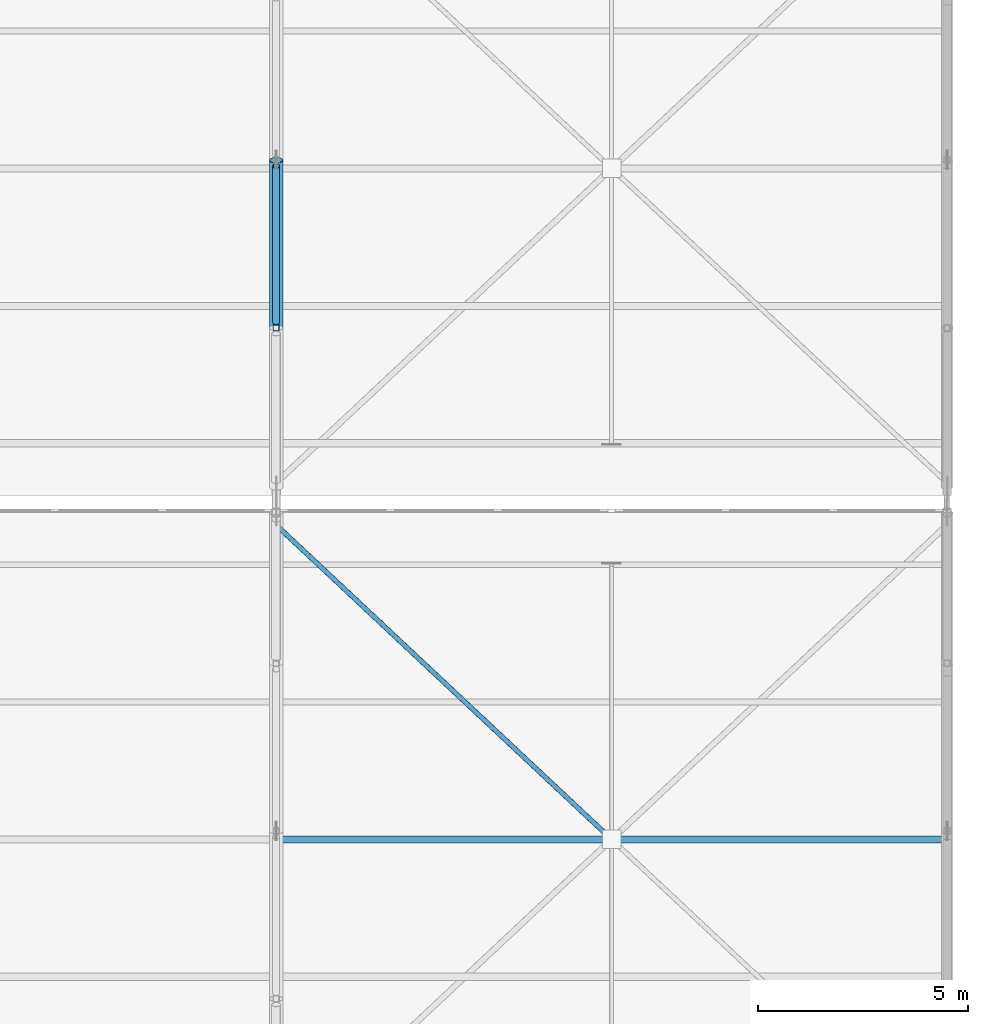
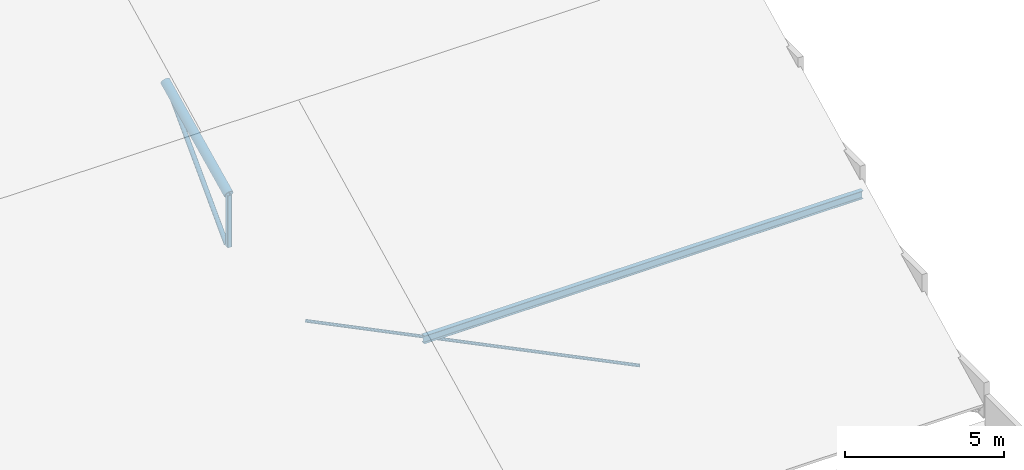
# One storey, part 84 of 137: 4 members, 1 beam.
"""IFC4 building model written with IfcOpenShell, lengths in metres."""

from ifc_helpers import new_model, si_unit, direction, frame, origin, origin_2d, place, context, subcontext, project, spatial, hollow_rectangle, hollow_circle, i_section, extrude, material, material_profile, profile_set, type_object, element, save


model = new_model("IFC4")

# Units and contexts
model_context = context("Model", 3, precision=1e-05, world=origin(), true_north=direction((0.0, 1.0)))
body_context = subcontext(model_context, "Body", "Model", "MODEL_VIEW")
ifc_project = project(units=[si_unit("LENGTHUNIT", "METRE"), si_unit("AREAUNIT", "SQUARE_METRE"), si_unit("VOLUMEUNIT", "CUBIC_METRE"), si_unit("PLANEANGLEUNIT", "RADIAN"), si_unit("MASSUNIT", "GRAM", prefix="KILO")], contexts=[model_context])

# Site, building, storey
site_placement = place(None, origin())
site = spatial("IfcSite", under=ifc_project, at=site_placement, CompositionType="ELEMENT")
building_placement = place(site_placement, origin())
building = spatial("IfcBuilding", under=site, at=building_placement, Name="Jelvoka-Kovrelna Polytechnic", CompositionType="ELEMENT")
storey_placement = place(building_placement, frame((0.0, 0.0, 9.60009765625)))
storey = spatial("IfcBuildingStorey", under=building, at=storey_placement, Name="L03", CompositionType="ELEMENT", Elevation=9.60009765625)

# Members
ifc_material_1 = material(Name="Structural steel S355J2H", Category="steel")
ifc_material_profile_1 = material_profile(ifc_material_1, hollow_circle(Radius=0.05712890625, WallThickness=0.00634765625, at=origin_2d()), Name="114.3x6.3 CHS")
ifc_profile_set_1 = profile_set([ifc_material_profile_1], Name="Structural steel S355J2H")
member_type_1 = type_object("IfcMemberType", Name="Member_Brace_CHS114", PredefinedType="BRACE", material=ifc_profile_set_1)
member_1_placement = place(storey_placement, frame((184.050048828125, 103.25, 0.14990234375), z_axis=(0.729679522085, -0.683789291412, 0.0), x_axis=(0.683789291412, 0.729679522085, 0.0)))
element("IfcMember", 1, at=member_1_placement, inside=storey, type_object=member_type_1, Name="Sawtooth roof split X-brace half-diagonal 0227", PredefinedType="BRACE", context=body_context, shape_type="SweptSolid", body=[
    extrude(hollow_circle(Radius=0.05712890625, WallThickness=0.00634765625, at=origin_2d()), origin(), (0.0, 0.0, 1.0), 10.80517578125),
])
ifc_material_2 = material(Name="Structural steel S355J2H", Category="steel")
ifc_material_profile_2 = material_profile(ifc_material_2, hollow_circle(Radius=0.084228515625, WallThickness=0.008056640625, at=origin_2d()), Name="168.3x8.0 CHS")
ifc_profile_set_2 = profile_set([ifc_material_profile_2], Name="Structural steel S355J2H")
member_type_2 = type_object("IfcMemberType", Name="Member_Brace_CHS168", PredefinedType="BRACE", material=ifc_profile_set_2)
member_2_placement = place(storey_placement, frame((184.0, 108.139892578125, 0.14990234375), z_axis=(0.0, 0.69521468222, 0.718802160282), x_axis=(-1.0, 0.0, 0.0)))
element("IfcMember", 2, at=member_2_placement, inside=storey, type_object=member_type_2, Name="Sawtooth truss 7 diagonal web 2.2", PredefinedType="BRACE", context=body_context, shape_type="SweptSolid", body=[
    extrude(hollow_circle(Radius=0.084228515625, WallThickness=0.008056640625, at=origin_2d()), origin(), (0.0, 0.0, 1.0), 5.35107421875),
])
ifc_material_3 = material(Name="Structural steel S355J2H", Category="steel")
ifc_material_profile_3 = material_profile(ifc_material_3, hollow_circle(Radius=0.161865234375, WallThickness=0.010009765625, at=origin_2d()), Name="323.9x10.0 CHS")
ifc_profile_set_3 = profile_set([ifc_material_profile_3], Name="Structural steel S355J2H")
member_type_3 = type_object("IfcMemberType", Name="Member_Chord_CHS324", PredefinedType="CHORD", material=ifc_profile_set_3)
member_3_placement = place(storey_placement, frame((184.0, 108.0, 2.148193359375), z_axis=(0.0, 0.900799405566, 0.434235455637), x_axis=(-1.0, 0.0, 0.0)))
element("IfcMember", 3, at=member_3_placement, inside=storey, type_object=member_type_3, Name="Sawtooth truss 7 top chord 2.2", PredefinedType="CHORD", context=body_context, shape_type="SweptSolid", body=[
    extrude(hollow_circle(Radius=0.161865234375, WallThickness=0.010009765625, at=origin_2d()), origin(), (0.0, 0.0, 1.0), 4.4404296875),
])
ifc_material_4 = material(Name="Structural steel S355J2H", Category="steel")
ifc_material_profile_4 = material_profile(ifc_material_4, hollow_rectangle(XDim=0.14990234375, YDim=0.14990234375, WallThickness=0.008056640625, InnerFilletRadius=0.008056640625, OuterFilletRadius=0.011962890625, at=origin_2d()), Name="150x150x8.0 SHS")
ifc_profile_set_4 = profile_set([ifc_material_profile_4], Name="Structural steel S355J2H")
member_type_4 = type_object("IfcMemberType", Name="Member_Post_SHS150", PredefinedType="POST", material=ifc_profile_set_4)
member_4_placement = place(storey_placement, frame((184.0, 108.0, 0.14990234375), z_axis=(0.0, 0.0, 1.0), x_axis=(1.0, 0.0, 0.0)))
element("IfcMember", 4, at=member_4_placement, inside=storey, type_object=member_type_4, Name="Sawtooth truss 7 web post 2.2", PredefinedType="POST", context=body_context, shape_type="SweptSolid", body=[
    extrude(hollow_rectangle(XDim=0.14990234375, YDim=0.14990234375, WallThickness=0.008056640625, InnerFilletRadius=0.008056640625, OuterFilletRadius=0.011962890625, at=origin_2d()), origin(), (0.0, 0.0, 1.0), 1.998291015625),
])

# Beam
ifc_material_5 = material(Name="Structural steel S355JR", Category="steel")
ifc_material_profile_5 = material_profile(ifc_material_5, i_section(OverallWidth=0.1650390625, OverallDepth=0.303466796875, WebThickness=0.006103515625, FlangeThickness=0.01025390625, FilletRadius=0.0087890625, at=origin_2d()), Name="305x165x40 UB")
ifc_profile_set_5 = profile_set([ifc_material_profile_5], Name="Structural steel S355JR")
beam_type = type_object("IfcBeamType", Name="Purlin_Steel_UB305", PredefinedType="JOIST", material=ifc_profile_set_5)
beam_placement = place(storey_placement, frame((184.02001953125, 95.800048828125, 3.97998046875), z_axis=(1.0, 0.0, 0.0), x_axis=(0.0, 1.0, 0.0)))
element("IfcBeam", 5, at=beam_placement, inside=storey, type_object=beam_type, Name="Sawtooth roof purlin 063", PredefinedType="JOIST", context=body_context, shape_type="SweptSolid", body=[
    extrude(i_section(OverallWidth=0.1650390625, OverallDepth=0.303466796875, WebThickness=0.006103515625, FlangeThickness=0.01025390625, FilletRadius=0.0087890625, at=origin_2d()), origin(), (0.0, 0.0, 1.0), 15.9599609375),
])

save(model, "model.ifc")
